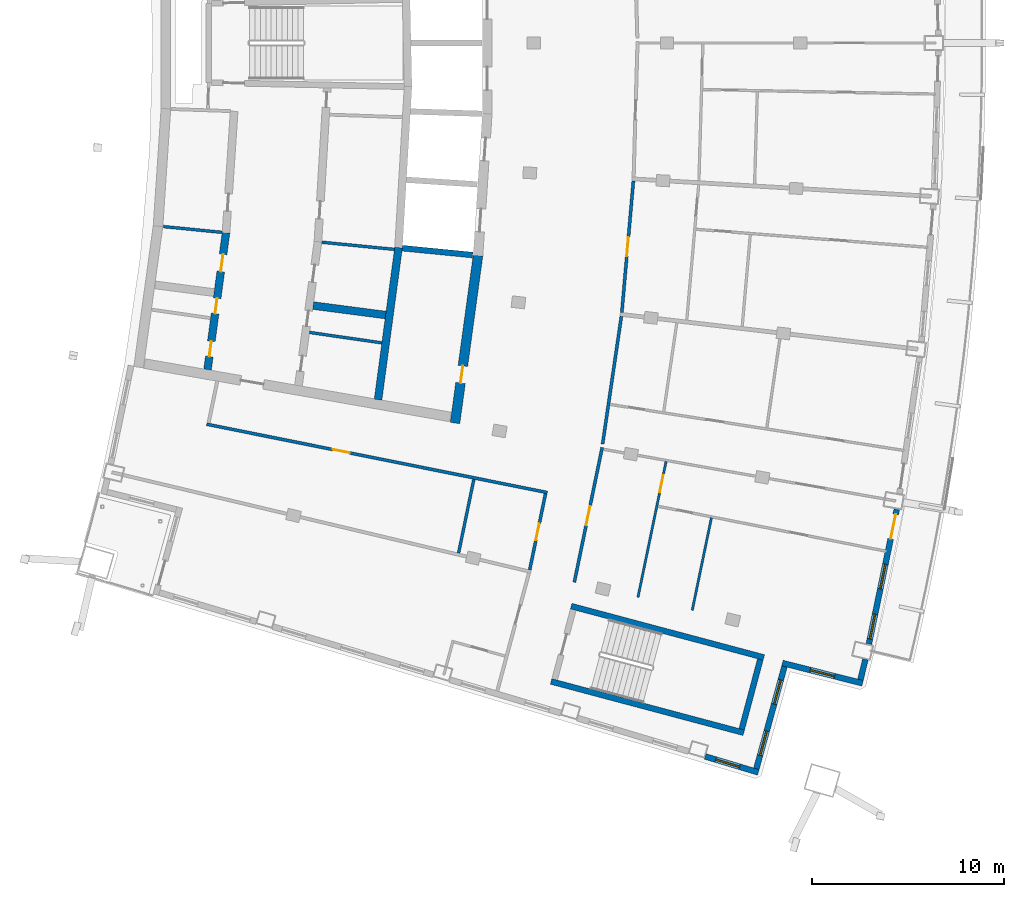
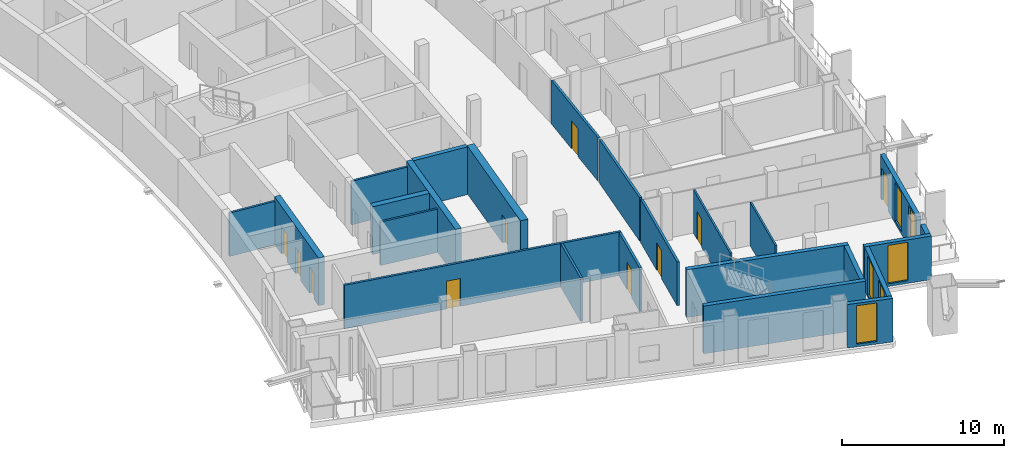
# One storey, part 8 of 20: 24 walls, 10 doors, 6 windows, 16 openings.
"""IFC4 building model written with IfcOpenShell, lengths in metres."""

import ifcopenshell
import ifcopenshell.guid

model = None  # the IFC model being written
_history = None  # IfcOwnerHistory: only IFC2X3 demands one
_inside = {}  # id of a spatial element -> (the spatial element, [elements in it])
_under = {}  # id of a project, library or spatial element -> (it, [spatial elements below it])
_declared = {}  # id of a project -> (the project, [libraries it declares])
_typed = {}  # id of a type object -> (the type object, [elements of that type])
_made_of = {}  # id of a material, layer set ... -> (it, [elements and type objects made of it])


def new_model(schema):
    """Start an empty IFC model of exactly this schema.

    Asked for "IFC4X3", IfcOpenShell would pick the latest addendum, in which some entities
    have other attributes; the version numbers below select the first issue.
    IFC2X3 requires an IfcOwnerHistory on every rooted entity: one is made here for all.
    """
    global model, _history
    if schema == "IFC4X3":
        model = ifcopenshell.file(schema_version=(4, 3, 0, 0))
    else:
        model = ifcopenshell.file(schema=schema)
    _inside.clear()
    _under.clear()
    _declared.clear()
    _typed.clear()
    _made_of.clear()
    _history = None
    if model.schema == "IFC2X3":
        org = make("IfcOrganization", Name="unknown")
        user = make(
            "IfcPersonAndOrganization",
            ThePerson=make("IfcPerson", FamilyName="unknown"),
            TheOrganization=org,
        )
        app = make(
            "IfcApplication",
            ApplicationDeveloper=org,
            Version="unknown",
            ApplicationFullName="unknown",
            ApplicationIdentifier="unknown",
        )
        _history = make(
            "IfcOwnerHistory",
            OwningUser=user,
            OwningApplication=app,
            ChangeAction="ADDED",
            CreationDate=0,
        )
    return model


def make(cls, **values):
    """One entity of the class cls with the attributes given. An attribute that is None is left unset."""
    return model.create_entity(
        cls, **{name: value for name, value in values.items() if value is not None}
    )


def rooted(cls, **values):
    """An entity with a GlobalId (a new one), such as an element, a storey or a relation."""
    return make(cls, GlobalId=ifcopenshell.guid.new(), OwnerHistory=_history, **values)


def si_unit(unit_type, name, prefix=None):
    """IfcSIUnit, for example si_unit("LENGTHUNIT", "METRE", prefix="MILLI")."""
    return make("IfcSIUnit", UnitType=unit_type, Prefix=prefix, Name=name)


def assignment(units):
    """IfcUnitAssignment: the units of a project."""
    return None if units is None else make("IfcUnitAssignment", Units=units)


def point(xyz):
    """IfcCartesianPoint."""
    return None if xyz is None else make("IfcCartesianPoint", Coordinates=xyz)


def direction(xyz):
    """IfcDirection."""
    return None if xyz is None else make("IfcDirection", DirectionRatios=xyz)


def frame(location, z_axis=None, x_axis=None):
    """IfcAxis2Placement3D, a coordinate frame: its origin and axes. An axis left out is left unset."""
    return make(
        "IfcAxis2Placement3D",
        Location=point(location),
        Axis=direction(z_axis),
        RefDirection=direction(x_axis),
    )


def frame_2d(location, x_axis=None):
    """IfcAxis2Placement2D, a coordinate frame in the plane: its origin and x axis."""
    return make(
        "IfcAxis2Placement2D", Location=point(location), RefDirection=direction(x_axis)
    )


def origin():
    """The frame at (0, 0, 0) with its axes left unset."""
    return frame((0.0, 0.0, 0.0))


def place(relative_to, where):
    """IfcLocalPlacement: puts the frame where relative to a parent placement (None: the world)."""
    return make(
        "IfcLocalPlacement", PlacementRelTo=relative_to, RelativePlacement=where
    )


def context(
    kind, dimensions, precision=None, world=None, true_north=None, identifier=None
):
    """IfcGeometricRepresentationContext, for example the 3D "Model" context."""
    return make(
        "IfcGeometricRepresentationContext",
        ContextIdentifier=identifier,
        ContextType=kind,
        CoordinateSpaceDimension=dimensions,
        Precision=precision,
        WorldCoordinateSystem=world,
        TrueNorth=true_north,
    )


def subcontext(parent, identifier, kind, view, scale=None):
    """IfcGeometricRepresentationSubContext, for example "Body" below "Model"."""
    return make(
        "IfcGeometricRepresentationSubContext",
        ContextIdentifier=identifier,
        ContextType=kind,
        ParentContext=parent,
        TargetScale=scale,
        TargetView=view,
    )


def project(units=None, contexts=None):
    """IfcProject with its units and contexts."""
    return rooted(
        "IfcProject",
        Name="project",
        RepresentationContexts=contexts,
        UnitsInContext=assignment(units),
    )


def spatial(cls, under=None, at=None, **own):
    """A site, building, storey or space (cls), placed at a placement, below another one or the project."""
    s = rooted(cls, ObjectPlacement=at, **own)
    if under is not None:
        _under.setdefault(under.id(), (under, []))[1].append(s)
    return s


def profile(cls, at=None, kind="AREA", **sizes):
    """A parametric profile (cls). Its sizes go by their IFC names, for example OverallWidth=200.0."""
    return make(cls, ProfileType=kind, Position=at, **sizes)


def rectangle(**sizes):
    """IfcRectangleProfileDef."""
    return profile("IfcRectangleProfileDef", **sizes)


def extrude(swept, where, along, depth):
    """IfcExtrudedAreaSolid: the profile swept, set in the frame where, extruded along a direction by depth."""
    return make(
        "IfcExtrudedAreaSolid",
        SweptArea=swept,
        Position=where,
        ExtrudedDirection=direction(along),
        Depth=depth,
    )


def shape(context_of_items, identifier, shape_type, items):
    """IfcShapeRepresentation: the items that make up one representation, for example the "Body"."""
    return make(
        "IfcShapeRepresentation",
        ContextOfItems=context_of_items,
        RepresentationIdentifier=identifier,
        RepresentationType=shape_type,
        Items=items,
    )


def material(Name=None, Category=None):
    """IfcMaterial."""
    return make("IfcMaterial", Name=Name, Category=Category)


def layer(
    of_material, thickness, ventilated=None, Name=None, Category=None, Priority=None
):
    """IfcMaterialLayer: one layer of a wall or slab, of a material (None: an air gap)."""
    return make(
        "IfcMaterialLayer",
        Material=of_material,
        LayerThickness=thickness,
        IsVentilated=ventilated,
        Name=Name,
        Category=Category,
        Priority=Priority,
    )


def layer_set(layers, Name=None):
    """IfcMaterialLayerSet."""
    return make("IfcMaterialLayerSet", MaterialLayers=layers, LayerSetName=Name)


def made_of(thing, what):
    """Note that an element or type object is made of a material, layer set ...; save() writes the relation."""
    if what is not None:
        _made_of.setdefault(what.id(), (what, []))[1].append(thing)
    return thing


def type_object(cls, material=None, **own):
    """A type object (cls), such as IfcWallType, which elements share."""
    return made_of(rooted(cls, **own), material)


def element(
    cls,
    number,
    at=None,
    inside=None,
    cuts=None,
    type_object=None,
    material=None,
    context=None,
    identifier="Body",
    shape_type=None,
    held_by="IfcProductDefinitionShape",
    body=None,
    shapes=None,
    **own,
):
    """One element of the class cls, such as IfcWall. Its Tag is "e" and its number.

    at: its placement. inside: the storey or other place that contains it. cuts: it is an
    opening in that element (IfcRelVoidsElement). A single representation is given by context,
    identifier, shape_type and body (its items); several are given by shapes. held_by: the class
    of the entity that holds the representations. save() writes the other relations.
    """
    e = rooted(cls, Tag="e%d" % number, ObjectPlacement=at, **own)
    if body is not None:
        shapes = [shape(context, identifier, shape_type, body)]
    if shapes is not None:
        e.Representation = make(held_by, Representations=shapes)
    if inside is not None:
        _inside.setdefault(inside.id(), (inside, []))[1].append(e)
    if cuts is not None:
        rooted(
            "IfcRelVoidsElement", RelatingBuildingElement=cuts, RelatedOpeningElement=e
        )
    if type_object is not None:
        _typed.setdefault(type_object.id(), (type_object, []))[1].append(e)
    return made_of(e, material)


def fill(opening, filler):
    """IfcRelFillsElement: the door or window that sits in an opening."""
    return rooted(
        "IfcRelFillsElement",
        RelatingOpeningElement=opening,
        RelatedBuildingElement=filler,
    )


def aggregate(whole, parts):
    """IfcRelAggregates: a whole, such as a stair, and the parts it consists of."""
    return rooted("IfcRelAggregates", RelatingObject=whole, RelatedObjects=parts)


def save(model, path):
    """Write the relations noted so far, then the file.

    IfcRelAggregates (storeys below a building ...), IfcRelContainedInSpatialStructure (elements
    in a storey), IfcRelDefinesByType, IfcRelAssociatesMaterial and IfcRelDeclares: one each for
    every whole, place, type object, material and project.
    """
    for whole, parts in _under.values():
        aggregate(whole, parts)
    for where, things in _inside.values():
        rooted(
            "IfcRelContainedInSpatialStructure",
            RelatedElements=things,
            RelatingStructure=where,
        )
    for kind, things in _typed.values():
        rooted("IfcRelDefinesByType", RelatedObjects=things, RelatingType=kind)
    for what, things in _made_of.values():
        rooted("IfcRelAssociatesMaterial", RelatedObjects=things, RelatingMaterial=what)
    for by, libraries in _declared.values():
        rooted("IfcRelDeclares", RelatingContext=by, RelatedDefinitions=libraries)
    model.write(path)


model = new_model("IFC4")

# Units and contexts
model_context = context("Model", 3, precision=1e-05, world=origin(), true_north=direction((0.0, 1.0)))
body_context = subcontext(model_context, "Body", "Model", "MODEL_VIEW")
ifc_project = project(units=[si_unit("LENGTHUNIT", "METRE"), si_unit("AREAUNIT", "SQUARE_METRE"), si_unit("VOLUMEUNIT", "CUBIC_METRE"), si_unit("PLANEANGLEUNIT", "RADIAN"), si_unit("MASSUNIT", "GRAM", prefix="KILO")], contexts=[model_context])

# Site, building, storey
site_placement = place(None, origin())
site = spatial("IfcSite", under=ifc_project, at=site_placement, CompositionType="ELEMENT")
building_placement = place(site_placement, origin())
building = spatial("IfcBuilding", under=site, at=building_placement, Name="Alderwake Tower", CompositionType="ELEMENT")
storey_placement = place(building_placement, frame((0.0, 0.0, 263.60009765625)))
storey = spatial("IfcBuildingStorey", under=building, at=storey_placement, Name="L65", CompositionType="ELEMENT", Elevation=263.60009765625)

# Walls
ifc_material_1 = material(Name="Gypsum shaft wall system, rated")
ifc_layer_1 = layer(ifc_material_1, 0.14990234375)
ifc_layer_set_1 = layer_set([ifc_layer_1], Name="Core room partition 150")
wall_type_1 = type_object("IfcWallType", Name="Core room partition 150", PredefinedType="PARTITIONING", material=ifc_layer_set_1)
wall_1_placement = place(storey_placement, frame((24.156005859375, 45.956298828125, 0.0), z_axis=(0.0, 0.0, 1.0), x_axis=(0.989733513529, -0.142925057975, 0.0)))
element("IfcWall", 1, at=wall_1_placement, inside=storey, type_object=wall_type_1, Name="CW/L65/PR-150_+86", PredefinedType="PARTITIONING", context=body_context, shape_type="SweptSolid", body=[
    extrude(rectangle(XDim=3.795654296875, YDim=0.14990234375, at=frame_2d((1.89794921875, 0.0))), origin(), (0.0, 0.0, 1.0), 3.27978515625),
])
wall_2_placement = place(storey_placement, frame((16.559814453125, 51.458251953125, 0.0), z_axis=(0.0, 0.0, 1.0), x_axis=(0.99515693677, -0.098298887065, 0.0)))
element("IfcWall", 2, at=wall_2_placement, inside=storey, type_object=wall_type_1, Name="CW/L65/PR-103_+0", PredefinedType="PARTITIONING", context=body_context, shape_type="SweptSolid", body=[
    extrude(rectangle(XDim=3.06982421875, YDim=0.14990234375, at=frame_2d((1.534912109375, 0.0))), origin(), (0.0, 0.0, 1.0), 3.27978515625),
])
wall_3_placement = place(storey_placement, frame((24.789794921875, 50.64501953125, 0.0), z_axis=(0.0, 0.0, 1.0), x_axis=(0.995153039802, -0.098338331148, 0.0)))
element("IfcWall", 3, at=wall_3_placement, inside=storey, type_object=wall_type_1, Name="CW/L65/PR-103_+86", PredefinedType="PARTITIONING", context=body_context, shape_type="SweptSolid", body=[
    extrude(rectangle(XDim=3.7958984375, YDim=0.14990234375, at=frame_2d((1.89794921875, 0.0))), origin(), (0.0, 0.0, 1.0), 3.27978515625),
])

# Wall, opening, door
ifc_material_2 = material(Name="Concrete C70/85", Category="concrete")
ifc_layer_2 = layer(ifc_material_2, 0.5)
ifc_layer_set_2 = layer_set([ifc_layer_2], Name="Core wall outer 500 C70-85")
wall_type_2 = type_object("IfcWallType", Name="Core wall outer 500 C70-85", PredefinedType="SHEAR", material=ifc_layer_set_2)
wall_4_placement = place(storey_placement, frame((32.912109375, 49.960693359375, 0.0), z_axis=(0.0, 0.0, 1.0), x_axis=(-0.1358539401, -0.990728876615, 0.0)))
wall_4 = element("IfcWall", 4, at=wall_4_placement, inside=storey, type_object=wall_type_2, Name="Core wall CW.022", PredefinedType="SHEAR", context=body_context, shape_type="SweptSolid", body=[
    extrude(rectangle(XDim=8.794921875, YDim=0.5, at=frame_2d((4.3974609375, 0.0))), origin(), (0.0, 0.0, 1.0), 3.599853515625),
])
opening_1_placement = place(wall_4_placement, frame((5.79638671875, 0.0, 0.0)))
opening_1 = element("IfcOpeningElement", 5, at=opening_1_placement, cuts=wall_4, Name="Opening C060", PredefinedType="OPENING", context=body_context, shape_type="SweptSolid", body=[
    extrude(rectangle(XDim=0.89990234375, YDim=2.10009765625, at=frame_2d((0.449951171875, 1.050048828125))), frame((0.0, 0.260009765625, 0.0), z_axis=(0.0, -1.0, 0.0), x_axis=(1.0, 0.0, 0.0)), (0.0, 0.0, 1.0), 0.52001953125),
])
ifc_material_3 = material(Name="Painted steel leaf", Category="steel")
door_type_1 = type_object("IfcDoorType", Name="Core room door 900", OperationType="SINGLE_SWING_LEFT", PredefinedType="DOOR", material=ifc_material_3)
door_1_placement = place(opening_1_placement, origin())
door_1 = element("IfcDoor", 6, at=door_1_placement, inside=storey, type_object=door_type_1, Name="Room door", OperationType="SINGLE_SWING_RIGHT", OverallHeight=2.10009765625, OverallWidth=0.89990234375, PredefinedType="DOOR", context=body_context, shape_type="SweptSolid", body=[
    extrude(rectangle(XDim=0.89990234375, YDim=2.10009765625, at=frame_2d((0.449951171875, 1.050048828125))), frame((0.0, 0.02490234375, 0.0), z_axis=(0.0, -1.0, 0.0), x_axis=(1.0, 0.0, 0.0)), (0.0, 0.0, 1.0), 0.050048828125),
])
fill(opening_1, door_1)

# Wall
ifc_material_4 = material(Name="Concrete C70/85", Category="concrete")
ifc_layer_3 = layer(ifc_material_4, 0.300048828125)
ifc_layer_set_3 = layer_set([ifc_layer_3], Name="Core wall shaft 300 C70-85")
wall_type_3 = type_object("IfcWallType", Name="Core wall shaft 300 C70-85", PredefinedType="SHEAR", material=ifc_layer_set_3)
wall_5_placement = place(storey_placement, frame((28.9794921875, 50.336181640625, 0.0), z_axis=(0.0, 0.0, 1.0), x_axis=(0.995245736737, -0.097395705788, 0.0)))
element("IfcWall", 7, at=wall_5_placement, inside=storey, type_object=wall_type_3, Name="Core wall CW.064", PredefinedType="SHEAR", context=body_context, shape_type="SweptSolid", body=[
    extrude(rectangle(XDim=3.669677734375, YDim=0.300048828125, at=frame_2d((1.8349609375, 0.0))), origin(), (0.0, 0.0, 1.0), 3.599853515625),
])

# Wall, openings, doors
ifc_material_5 = material(Name="Concrete C70/85", Category="concrete")
ifc_layer_4 = layer(ifc_material_5, 0.39990234375)
ifc_layer_set_4 = layer_set([ifc_layer_4], Name="Core wall spine 400 C70-85")
wall_type_4 = type_object("IfcWallType", Name="Core wall spine 400 C70-85", PredefinedType="SHEAR", material=ifc_layer_set_4)
wall_6_placement = place(storey_placement, frame((19.814697265625, 51.143798828125, 0.0), z_axis=(0.0, 0.0, 1.0), x_axis=(-0.133823115837, -0.991005233925, 0.0)))
wall_6 = element("IfcWall", 8, at=wall_6_placement, inside=storey, type_object=wall_type_4, Name="Core wall CW.033", PredefinedType="SHEAR", context=body_context, shape_type="SweptSolid", body=[
    extrude(rectangle(XDim=7.1787109375, YDim=0.39990234375, at=frame_2d((3.58935546875, 0.0))), origin(), (0.0, 0.0, 1.0), 3.599853515625),
])
opening_2_placement = place(wall_6_placement, frame((5.69677734375, 0.0, 0.0)))
opening_2 = element("IfcOpeningElement", 9, at=opening_2_placement, cuts=wall_6, Name="Opening C008", PredefinedType="OPENING", context=body_context, shape_type="SweptSolid", body=[
    extrude(rectangle(XDim=0.800048828125, YDim=2.0, at=frame_2d((0.39990234375, 1.0))), frame((0.0, 0.2099609375, 0.0), z_axis=(0.0, -1.0, 0.0), x_axis=(1.0, 0.0, 0.0)), (0.0, 0.0, 1.0), 0.419921875),
])
opening_3_placement = place(wall_6_placement, frame((3.443115234375, 0.0, 0.0)))
opening_3 = element("IfcOpeningElement", 10, at=opening_3_placement, cuts=wall_6, Name="Opening C012", PredefinedType="OPENING", context=body_context, shape_type="SweptSolid", body=[
    extrude(rectangle(XDim=0.800048828125, YDim=2.0, at=frame_2d((0.39990234375, 1.0))), frame((0.0, 0.2099609375, 0.0), z_axis=(0.0, -1.0, 0.0), x_axis=(1.0, 0.0, 0.0)), (0.0, 0.0, 1.0), 0.419921875),
])
opening_4_placement = place(wall_6_placement, frame((1.13916015625, 0.0, 0.0)))
opening_4 = element("IfcOpeningElement", 11, at=opening_4_placement, cuts=wall_6, Name="Opening C039", PredefinedType="OPENING", context=body_context, shape_type="SweptSolid", body=[
    extrude(rectangle(XDim=0.89990234375, YDim=2.10009765625, at=frame_2d((0.449951171875, 1.050048828125))), frame((0.0, 0.2099609375, 0.0), z_axis=(0.0, -1.0, 0.0), x_axis=(1.0, 0.0, 0.0)), (0.0, 0.0, 1.0), 0.419921875),
])
door_2_placement = place(opening_4_placement, origin())
door_2 = element("IfcDoor", 12, at=door_2_placement, inside=storey, type_object=door_type_1, Name="Room door", OperationType="SINGLE_SWING_LEFT", OverallHeight=2.10009765625, OverallWidth=0.89990234375, PredefinedType="DOOR", context=body_context, shape_type="SweptSolid", body=[
    extrude(rectangle(XDim=0.89990234375, YDim=2.10009765625, at=frame_2d((0.449951171875, 1.050048828125))), frame((0.0, 0.02490234375, 0.0), z_axis=(0.0, -1.0, 0.0), x_axis=(1.0, 0.0, 0.0)), (0.0, 0.0, 1.0), 0.050048828125),
])
fill(opening_4, door_2)
ifc_material_6 = material(Name="Painted steel leaf, rated", Category="steel")
door_type_2 = type_object("IfcDoorType", Name="Riser access door 800", OperationType="SINGLE_SWING_LEFT", PredefinedType="DOOR", material=ifc_material_6)
door_3_placement = place(opening_2_placement, origin())
door_3 = element("IfcDoor", 13, at=door_3_placement, inside=storey, type_object=door_type_2, Name="Riser access door", OperationType="SINGLE_SWING_LEFT", OverallHeight=2.0, OverallWidth=0.800048828125, PredefinedType="DOOR", context=body_context, shape_type="SweptSolid", body=[
    extrude(rectangle(XDim=0.800048828125, YDim=2.0, at=frame_2d((0.39990234375, 1.0))), frame((0.0, 0.02490234375, 0.0), z_axis=(0.0, -1.0, 0.0), x_axis=(1.0, 0.0, 0.0)), (0.0, 0.0, 1.0), 0.050048828125),
])
fill(opening_2, door_3)
door_4_placement = place(opening_3_placement, origin())
door_4 = element("IfcDoor", 14, at=door_4_placement, inside=storey, type_object=door_type_2, Name="Riser access door", OperationType="SINGLE_SWING_RIGHT", OverallHeight=2.0, OverallWidth=0.800048828125, PredefinedType="DOOR", context=body_context, shape_type="SweptSolid", body=[
    extrude(rectangle(XDim=0.800048828125, YDim=2.0, at=frame_2d((0.39990234375, 1.0))), frame((0.0, 0.02490234375, 0.0), z_axis=(0.0, -1.0, 0.0), x_axis=(1.0, 0.0, 0.0)), (0.0, 0.0, 1.0), 0.050048828125),
])
fill(opening_3, door_4)

# Walls
wall_7_placement = place(storey_placement, frame((27.716552734375, 42.46240234375, 0.0), z_axis=(0.0, 0.0, 1.0), x_axis=(0.133575701536, 0.991038612749, 0.0)))
element("IfcWall", 15, at=wall_7_placement, inside=storey, type_object=wall_type_4, Name="Core wall CW.006", PredefinedType="SHEAR", context=body_context, shape_type="SweptSolid", body=[
    extrude(rectangle(XDim=7.97265625, YDim=0.39990234375, at=frame_2d((3.986328125, 0.0))), origin(), (0.0, 0.0, 1.0), 3.599853515625),
])
wall_8_placement = place(storey_placement, frame((24.344482421875, 47.3525390625, 0.0), z_axis=(0.0, 0.0, 1.0), x_axis=(0.991554071493, -0.129693960172, 0.0)))
element("IfcWall", 16, at=wall_8_placement, inside=storey, type_object=wall_type_4, Name="Core wall CW.069", PredefinedType="SHEAR", context=body_context, shape_type="SweptSolid", body=[
    extrude(rectangle(XDim=3.794921875, YDim=0.39990234375, at=frame_2d((1.8974609375, 0.0))), origin(), (0.0, 0.0, 1.0), 3.599853515625),
])
ifc_material_7 = material(Name="Concrete C70/85", Category="concrete")
ifc_layer_5 = layer(ifc_material_7, 0.300048828125)
ifc_layer_set_5 = layer_set([ifc_layer_5], Name="Core wall stair enclosure 300 C70-85")
wall_type_5 = type_object("IfcWallType", Name="Core wall stair enclosure 300 C70-85", PredefinedType="SHEAR", material=ifc_layer_set_5)
for number, where, z_axis, x_axis, name in (
    (17, (37.75390625, 31.731201171875, 0.0), (0.0, 0.0, 1.0), (0.966309214305, -0.257383958996, 0.0), "Core wall CW.086"),
    (18, (36.71142578125, 27.817626953125, 0.0), (0.0, 0.0, 1.0), (0.966309214305, -0.257383958996, 0.0), "Core wall CW.088"),
):
    element("IfcWall", number, at=place(storey_placement, frame(where, z_axis=z_axis, x_axis=x_axis)), inside=storey, type_object=wall_type_5, Name=name, PredefinedType="SHEAR", context=body_context, shape_type="SweptSolid", body=[
        extrude(rectangle(XDim=10.360107421875, YDim=0.300048828125, at=frame_2d((5.18017578125, 0.0))), origin(), (0.0, 0.0, 1.0), 3.599853515625),
    ])
wall_9_placement = place(storey_placement, frame((46.6162109375, 25.334716796875, 0.0), z_axis=(0.0, 0.0, 1.0), x_axis=(0.257366821694, 0.966313778796, 0.0)))
element("IfcWall", 19, at=wall_9_placement, inside=storey, type_object=wall_type_5, Name="Core wall CW.085", PredefinedType="SHEAR", context=body_context, shape_type="SweptSolid", body=[
    extrude(rectangle(XDim=3.749755859375, YDim=0.300048828125, at=frame_2d((1.875, 0.0))), origin(), (0.0, 0.0, 1.0), 3.599853515625),
])

# Wall, opening, door
ifc_material_8 = material(Name="Gypsum board on metal studs, rated")
ifc_layer_6 = layer(ifc_material_8, 0.159912109375)
ifc_layer_set_6 = layer_set([ifc_layer_6], Name="Corridor wall 160")
wall_type_6 = type_object("IfcWallType", Name="Corridor wall 160", PredefinedType="PARTITIONING", material=ifc_layer_set_6)
wall_10_placement = place(storey_placement, frame((36.513427734375, 37.63427734375, 0.0), z_axis=(0.0, 0.0, 1.0), x_axis=(-0.980470254867, 0.1966674333, 0.0)))
wall_10 = element("IfcWall", 20, at=wall_10_placement, inside=storey, type_object=wall_type_6, Name="WL/L65/W10", PredefinedType="PARTITIONING", context=body_context, shape_type="SweptSolid", body=[
    extrude(rectangle(XDim=18.053466796875, YDim=0.159912109375, at=frame_2d((9.02685546875, 0.0))), origin(), (0.0, 0.0, 1.0), 3.27978515625),
])
opening_5_placement = place(wall_10_placement, frame((10.476806640625, 0.0, 0.0)))
opening_5 = element("IfcOpeningElement", 21, at=opening_5_placement, cuts=wall_10, Name="Opening R18-SBS1", PredefinedType="OPENING", context=body_context, shape_type="SweptSolid", body=[
    extrude(rectangle(XDim=0.89990234375, YDim=2.10009765625, at=frame_2d((0.449951171875, 1.050048828125))), frame((0.0, 0.08984375, 0.0), z_axis=(0.0, -1.0, 0.0), x_axis=(1.0, 0.0, 0.0)), (0.0, 0.0, 1.0), 0.179931640625),
])
ifc_material_9 = material(Name="Painted timber leaf", Category="wood")
door_type_3 = type_object("IfcDoorType", Name="Room door 900", OperationType="SINGLE_SWING_LEFT", PredefinedType="DOOR", material=ifc_material_9)
door_5_placement = place(opening_5_placement, origin())
door_5 = element("IfcDoor", 22, at=door_5_placement, inside=storey, type_object=door_type_3, Name="DR/L65/SBS1", OperationType="SINGLE_SWING_LEFT", OverallHeight=2.10009765625, OverallWidth=0.89990234375, PredefinedType="DOOR", context=body_context, shape_type="SweptSolid", body=[
    extrude(rectangle(XDim=0.89990234375, YDim=2.10009765625, at=frame_2d((0.449951171875, 1.050048828125))), frame((0.0, 0.02490234375, 0.0), z_axis=(0.0, -1.0, 0.0), x_axis=(1.0, 0.0, 0.0)), (0.0, 0.0, 1.0), 0.050048828125),
])
fill(opening_5, door_5)

wall_11_placement = place(storey_placement, frame((35.59619140625, 33.609375, 0.0), z_axis=(0.0, 0.0, 1.0), x_axis=(0.203245920818, 0.979127721838, 0.0)))
wall_11 = element("IfcWall", 23, at=wall_11_placement, inside=storey, type_object=wall_type_6, Name="WL/L65/W17", PredefinedType="PARTITIONING", context=body_context, shape_type="SweptSolid", body=[
    extrude(rectangle(XDim=4.046875, YDim=0.159912109375, at=frame_2d((2.0234375, 0.0))), origin(), (0.0, 0.0, 1.0), 3.27978515625),
])
opening_6_placement = place(wall_11_placement, frame((1.573486328125, 0.0, 0.0)))
opening_6 = element("IfcOpeningElement", 24, at=opening_6_placement, cuts=wall_11, Name="Opening R18-SBS2", PredefinedType="OPENING", context=body_context, shape_type="SweptSolid", body=[
    extrude(rectangle(XDim=0.89990234375, YDim=2.10009765625, at=frame_2d((0.449951171875, 1.050048828125))), frame((0.0, 0.08984375, 0.0), z_axis=(0.0, -1.0, 0.0), x_axis=(1.0, 0.0, 0.0)), (0.0, 0.0, 1.0), 0.179931640625),
])
door_6_placement = place(opening_6_placement, origin())
door_6 = element("IfcDoor", 25, at=door_6_placement, inside=storey, type_object=door_type_3, Name="DR/L65/SBS2", OperationType="SINGLE_SWING_LEFT", OverallHeight=2.10009765625, OverallWidth=0.89990234375, PredefinedType="DOOR", context=body_context, shape_type="SweptSolid", body=[
    extrude(rectangle(XDim=0.89990234375, YDim=2.10009765625, at=frame_2d((0.449951171875, 1.050048828125))), frame((0.0, 0.02490234375, 0.0), z_axis=(0.0, -1.0, 0.0), x_axis=(1.0, 0.0, 0.0)), (0.0, 0.0, 1.0), 0.050048828125),
])
fill(opening_6, door_6)

wall_12_placement = place(storey_placement, frame((39.3642578125, 39.975341796875, 0.0), z_axis=(0.0, 0.0, 1.0), x_axis=(-0.202490391407, -0.979284249535, 0.0)))
wall_12 = element("IfcWall", 26, at=wall_12_placement, inside=storey, type_object=wall_type_6, Name="WL/L65/W19", PredefinedType="PARTITIONING", context=body_context, shape_type="SweptSolid", body=[
    extrude(rectangle(XDim=7.147216796875, YDim=0.159912109375, at=frame_2d((3.57373046875, 0.0))), origin(), (0.0, 0.0, 1.0), 3.27978515625),
])
opening_7_placement = place(wall_12_placement, frame((3.113037109375, 0.0, 0.0)))
opening_7 = element("IfcOpeningElement", 27, at=opening_7_placement, cuts=wall_12, Name="Opening R18-U03.1", PredefinedType="OPENING", context=body_context, shape_type="SweptSolid", body=[
    extrude(rectangle(XDim=1.0, YDim=2.10009765625, at=frame_2d((0.5, 1.050048828125))), frame((0.0, 0.08984375, 0.0), z_axis=(0.0, -1.0, 0.0), x_axis=(1.0, 0.0, 0.0)), (0.0, 0.0, 1.0), 0.179931640625),
])
ifc_material_10 = material(Name="Solid timber leaf in steel frame", Category="steel")
door_type_4 = type_object("IfcDoorType", Name="Flat entrance door 1000 fire-rated", OperationType="SINGLE_SWING_LEFT", PredefinedType="DOOR", material=ifc_material_10)
door_7_placement = place(opening_7_placement, origin())
door_7 = element("IfcDoor", 28, at=door_7_placement, inside=storey, type_object=door_type_4, Name="DR/L65/U03.1", OperationType="SINGLE_SWING_LEFT", OverallHeight=2.10009765625, OverallWidth=1.0, PredefinedType="DOOR", context=body_context, shape_type="SweptSolid", body=[
    extrude(rectangle(XDim=1.0, YDim=2.10009765625, at=frame_2d((0.5, 1.050048828125))), frame((0.0, 0.02490234375, 0.0), z_axis=(0.0, -1.0, 0.0), x_axis=(1.0, 0.0, 0.0)), (0.0, 0.0, 1.0), 0.050048828125),
])
fill(opening_7, door_7)

# Wall
wall_13_placement = place(storey_placement, frame((39.38671875, 40.160888671875, 0.0), z_axis=(0.0, 0.0, 1.0), x_axis=(0.145513909196, 0.989356205939, 0.0)))
element("IfcWall", 29, at=wall_13_placement, inside=storey, type_object=wall_type_6, Name="WL/L65/W20", PredefinedType="PARTITIONING", context=body_context, shape_type="SweptSolid", body=[
    extrude(rectangle(XDim=6.704345703125, YDim=0.159912109375, at=frame_2d((3.35205078125, 0.0))), origin(), (0.0, 0.0, 1.0), 3.27978515625),
])

# Wall, opening, door
wall_14_placement = place(storey_placement, frame((40.986328125, 53.834228515625, 0.0), z_axis=(0.0, 0.0, 1.0), x_axis=(-0.087448731147, -0.996169021512, 0.0)))
wall_14 = element("IfcWall", 30, at=wall_14_placement, inside=storey, type_object=wall_type_6, Name="WL/L65/W22", PredefinedType="PARTITIONING", context=body_context, shape_type="SweptSolid", body=[
    extrude(rectangle(XDim=6.867919921875, YDim=0.159912109375, at=frame_2d((3.43408203125, 0.0))), origin(), (0.0, 0.0, 1.0), 3.27978515625),
])
opening_8_placement = place(wall_14_placement, frame((2.93408203125, 0.0, 0.0)))
opening_8 = element("IfcOpeningElement", 31, at=opening_8_placement, cuts=wall_14, Name="Opening R18-U04.1", PredefinedType="OPENING", context=body_context, shape_type="SweptSolid", body=[
    extrude(rectangle(XDim=1.0, YDim=2.10009765625, at=frame_2d((0.5, 1.050048828125))), frame((0.0, 0.08984375, 0.0), z_axis=(0.0, -1.0, 0.0), x_axis=(1.0, 0.0, 0.0)), (0.0, 0.0, 1.0), 0.179931640625),
])
door_8_placement = place(opening_8_placement, origin())
door_8 = element("IfcDoor", 32, at=door_8_placement, inside=storey, type_object=door_type_4, Name="DR/L65/U04.1", OperationType="SINGLE_SWING_LEFT", OverallHeight=2.10009765625, OverallWidth=1.0, PredefinedType="DOOR", context=body_context, shape_type="SweptSolid", body=[
    extrude(rectangle(XDim=1.0, YDim=2.10009765625, at=frame_2d((0.5, 1.050048828125))), frame((0.0, 0.02490234375, 0.0), z_axis=(0.0, -1.0, 0.0), x_axis=(1.0, 0.0, 0.0)), (0.0, 0.0, 1.0), 0.050048828125),
])
fill(opening_8, door_8)

# Wall
ifc_material_11 = material(Name="Precast concrete C50/60 spandrel panel", Category="concrete")
ifc_layer_7 = layer(ifc_material_11, 0.300048828125)
ifc_layer_set_7 = layer_set([ifc_layer_7], Name="External wall EW1 Precast concrete C50/60 spandrel")
wall_type_7 = type_object("IfcWallType", Name="External wall EW1 Precast concrete C50/60 spandrel", PredefinedType="SOLIDWALL", material=ifc_layer_set_7)
wall_15_placement = place(storey_placement, frame((52.78515625, 27.90478515625, 0.0), z_axis=(0.0, 0.0, 1.0), x_axis=(0.238265366809, 0.971200090084, 0.0)))
element("IfcWall", 33, at=wall_15_placement, inside=storey, type_object=wall_type_7, Name="External wall 11", PredefinedType="SOLIDWALL", context=body_context, shape_type="SweptSolid", body=[
    extrude(rectangle(XDim=1.09033203125, YDim=0.300048828125, at=frame_2d((0.545166015625, 0.0))), origin(), (0.0, 0.0, 1.0), 3.27978515625),
])

# Wall, openings, door, windows
wall_16_placement = place(storey_placement, frame((53.226806640625, 29.770263671875, 0.0), z_axis=(0.0, 0.0, 1.0), x_axis=(0.202780898279, 0.979224135371, 0.0)))
wall_16 = element("IfcWall", 34, at=wall_16_placement, inside=storey, type_object=wall_type_7, Name="External wall 12", PredefinedType="SOLIDWALL", context=body_context, shape_type="SweptSolid", body=[
    extrude(rectangle(XDim=7.13818359375, YDim=0.300048828125, at=frame_2d((3.569091796875, 0.0))), origin(), (0.0, 0.0, 1.0), 3.27978515625),
])
opening_9_placement = place(wall_16_placement, frame((0.263427734375, 0.0, 0.199951171875)))
opening_9 = element("IfcOpeningElement", 35, at=opening_9_placement, cuts=wall_16, Name="Opening W1", PredefinedType="OPENING", context=body_context, shape_type="SweptSolid", body=[
    extrude(rectangle(XDim=1.300048828125, YDim=2.89990234375, at=frame_2d((0.64990234375, 1.449951171875))), frame((0.0, 0.159912109375, 0.0), z_axis=(0.0, -1.0, 0.0), x_axis=(1.0, 0.0, 0.0)), (0.0, 0.0, 1.0), 0.320068359375),
])
opening_10_placement = place(wall_16_placement, frame((2.919189453125, 0.0, 0.199951171875)))
opening_10 = element("IfcOpeningElement", 36, at=opening_10_placement, cuts=wall_16, Name="Opening W1", PredefinedType="OPENING", context=body_context, shape_type="SweptSolid", body=[
    extrude(rectangle(XDim=1.300048828125, YDim=2.89990234375, at=frame_2d((0.64990234375, 1.449951171875))), frame((0.0, 0.159912109375, 0.0), z_axis=(0.0, -1.0, 0.0), x_axis=(1.0, 0.0, 0.0)), (0.0, 0.0, 1.0), 0.320068359375),
])
opening_11_placement = place(wall_16_placement, frame((5.574951171875, 0.0, 0.0)))
opening_11 = element("IfcOpeningElement", 37, at=opening_11_placement, cuts=wall_16, Name="Opening D02", PredefinedType="OPENING", context=body_context, shape_type="SweptSolid", body=[
    extrude(rectangle(XDim=1.300048828125, YDim=2.39990234375, at=frame_2d((0.64990234375, 1.199951171875))), frame((0.0, 0.159912109375, 0.0), z_axis=(0.0, -1.0, 0.0), x_axis=(1.0, 0.0, 0.0)), (0.0, 0.0, 1.0), 0.320068359375),
])
ifc_material_12 = material(Name="Bronze tinted glass in aluminium frame", Category="aluminium")
door_type_5 = type_object("IfcDoorType", Name="Balcony door BD sliding", OperationType="SLIDING_TO_LEFT", PredefinedType="DOOR", material=ifc_material_12)
door_9_placement = place(opening_11_placement, origin())
door_9 = element("IfcDoor", 38, at=door_9_placement, inside=storey, type_object=door_type_5, Name="Door D02", OperationType="SLIDING_TO_LEFT", OverallHeight=2.39990234375, OverallWidth=1.300048828125, PredefinedType="DOOR", context=body_context, shape_type="SweptSolid", body=[
    extrude(rectangle(XDim=1.300048828125, YDim=2.39990234375, at=frame_2d((0.64990234375, 1.199951171875))), frame((0.0, 0.02490234375, 0.0), z_axis=(0.0, -1.0, 0.0), x_axis=(1.0, 0.0, 0.0)), (0.0, 0.0, 1.0), 0.050048828125),
])
fill(opening_11, door_9)
ifc_material_13 = material(Name="Bronze tinted glass in aluminium frame", Category="aluminium")
window_type = type_object("IfcWindowType", Name="Window W1 tall fixed and vent", PartitioningType="DOUBLE_PANEL_VERTICAL", PredefinedType="WINDOW", material=ifc_material_13)
window_1_placement = place(opening_9_placement, origin())
window_1 = element("IfcWindow", 39, at=window_1_placement, inside=storey, type_object=window_type, Name="Window W1 tall fixed and vent", OverallHeight=2.89990234375, OverallWidth=1.300048828125, PartitioningType="DOUBLE_PANEL_VERTICAL", PredefinedType="WINDOW", context=body_context, shape_type="SweptSolid", body=[
    extrude(rectangle(XDim=1.300048828125, YDim=2.89990234375, at=frame_2d((0.64990234375, 1.449951171875))), frame((0.0, 0.030029296875, 0.0), z_axis=(0.0, -1.0, 0.0), x_axis=(1.0, 0.0, 0.0)), (0.0, 0.0, 1.0), 0.06005859375),
])
fill(opening_9, window_1)
window_2_placement = place(opening_10_placement, origin())
window_2 = element("IfcWindow", 40, at=window_2_placement, inside=storey, type_object=window_type, Name="Window W1 tall fixed and vent", OverallHeight=2.89990234375, OverallWidth=1.300048828125, PartitioningType="DOUBLE_PANEL_VERTICAL", PredefinedType="WINDOW", context=body_context, shape_type="SweptSolid", body=[
    extrude(rectangle(XDim=1.300048828125, YDim=2.89990234375, at=frame_2d((0.64990234375, 1.449951171875))), frame((0.0, 0.030029296875, 0.0), z_axis=(0.0, -1.0, 0.0), x_axis=(1.0, 0.0, 0.0)), (0.0, 0.0, 1.0), 0.06005859375),
])
fill(opening_10, window_2)

# Wall, opening, window
ifc_material_14 = material(Name="Bronze metal cladding on lightweight framing")
ifc_layer_8 = layer(ifc_material_14, 0.300048828125)
ifc_layer_set_8 = layer_set([ifc_layer_8], Name="External wall EW2 bronze metal cladding")
wall_type_8 = type_object("IfcWallType", Name="External wall EW2 bronze metal cladding", PredefinedType="SOLIDWALL", material=ifc_layer_set_8)
wall_17_placement = place(storey_placement, frame((44.722412109375, 23.920166015625, 0.0), z_axis=(0.0, 0.0, 1.0), x_axis=(0.957774929891, -0.287519014453, 0.0)))
wall_17 = element("IfcWall", 41, at=wall_17_placement, inside=storey, type_object=wall_type_8, Name="External wall 8", PredefinedType="SOLIDWALL", context=body_context, shape_type="SweptSolid", body=[
    extrude(rectangle(XDim=2.87939453125, YDim=0.300048828125, at=frame_2d((1.439697265625, 0.0))), origin(), (0.0, 0.0, 1.0), 3.27978515625),
])
opening_12_placement = place(wall_17_placement, frame((0.56396484375, 0.0, 0.199951171875)))
opening_12 = element("IfcOpeningElement", 42, at=opening_12_placement, cuts=wall_17, Name="Opening W1", PredefinedType="OPENING", context=body_context, shape_type="SweptSolid", body=[
    extrude(rectangle(XDim=1.300048828125, YDim=2.89990234375, at=frame_2d((0.64990234375, 1.449951171875))), frame((0.0, 0.159912109375, 0.0), z_axis=(0.0, -1.0, 0.0), x_axis=(1.0, 0.0, 0.0)), (0.0, 0.0, 1.0), 0.320068359375),
])
window_3_placement = place(opening_12_placement, origin())
window_3 = element("IfcWindow", 43, at=window_3_placement, inside=storey, type_object=window_type, Name="Window W1 tall fixed and vent", OverallHeight=2.89990234375, OverallWidth=1.300048828125, PartitioningType="DOUBLE_PANEL_VERTICAL", PredefinedType="WINDOW", context=body_context, shape_type="SweptSolid", body=[
    extrude(rectangle(XDim=1.300048828125, YDim=2.89990234375, at=frame_2d((0.64990234375, 1.449951171875))), frame((0.0, 0.030029296875, 0.0), z_axis=(0.0, -1.0, 0.0), x_axis=(1.0, 0.0, 0.0)), (0.0, 0.0, 1.0), 0.06005859375),
])
fill(opening_12, window_3)

# Wall, openings, windows
wall_18_placement = place(storey_placement, frame((47.37646484375, 23.27978515625, 0.0), z_axis=(0.0, 0.0, 1.0), x_axis=(0.265054561868, 0.964233415327, 0.0)))
wall_18 = element("IfcWall", 44, at=wall_18_placement, inside=storey, type_object=wall_type_8, Name="External wall 9", PredefinedType="SOLIDWALL", context=body_context, shape_type="SweptSolid", body=[
    extrude(rectangle(XDim=5.51171875, YDim=0.300048828125, at=frame_2d((2.755859375, 0.0))), origin(), (0.0, 0.0, 1.0), 3.27978515625),
])
opening_13_placement = place(wall_18_placement, frame((0.727783203125, 0.0, 0.199951171875)))
opening_13 = element("IfcOpeningElement", 45, at=opening_13_placement, cuts=wall_18, Name="Opening W1", PredefinedType="OPENING", context=body_context, shape_type="SweptSolid", body=[
    extrude(rectangle(XDim=1.300048828125, YDim=2.89990234375, at=frame_2d((0.64990234375, 1.449951171875))), frame((0.0, 0.159912109375, 0.0), z_axis=(0.0, -1.0, 0.0), x_axis=(1.0, 0.0, 0.0)), (0.0, 0.0, 1.0), 0.320068359375),
])
opening_14_placement = place(wall_18_placement, frame((3.48388671875, 0.0, 0.199951171875)))
opening_14 = element("IfcOpeningElement", 46, at=opening_14_placement, cuts=wall_18, Name="Opening W1", PredefinedType="OPENING", context=body_context, shape_type="SweptSolid", body=[
    extrude(rectangle(XDim=1.300048828125, YDim=2.89990234375, at=frame_2d((0.64990234375, 1.449951171875))), frame((0.0, 0.159912109375, 0.0), z_axis=(0.0, -1.0, 0.0), x_axis=(1.0, 0.0, 0.0)), (0.0, 0.0, 1.0), 0.320068359375),
])
window_4_placement = place(opening_13_placement, origin())
window_4 = element("IfcWindow", 47, at=window_4_placement, inside=storey, type_object=window_type, Name="Window W1 tall fixed and vent", OverallHeight=2.89990234375, OverallWidth=1.300048828125, PartitioningType="DOUBLE_PANEL_VERTICAL", PredefinedType="WINDOW", context=body_context, shape_type="SweptSolid", body=[
    extrude(rectangle(XDim=1.300048828125, YDim=2.89990234375, at=frame_2d((0.64990234375, 1.449951171875))), frame((0.0, 0.030029296875, 0.0), z_axis=(0.0, -1.0, 0.0), x_axis=(1.0, 0.0, 0.0)), (0.0, 0.0, 1.0), 0.06005859375),
])
fill(opening_13, window_4)
window_5_placement = place(opening_14_placement, origin())
window_5 = element("IfcWindow", 48, at=window_5_placement, inside=storey, type_object=window_type, Name="Window W1 tall fixed and vent", OverallHeight=2.89990234375, OverallWidth=1.300048828125, PartitioningType="DOUBLE_PANEL_VERTICAL", PredefinedType="WINDOW", context=body_context, shape_type="SweptSolid", body=[
    extrude(rectangle(XDim=1.300048828125, YDim=2.89990234375, at=frame_2d((0.64990234375, 1.449951171875))), frame((0.0, 0.030029296875, 0.0), z_axis=(0.0, -1.0, 0.0), x_axis=(1.0, 0.0, 0.0)), (0.0, 0.0, 1.0), 0.06005859375),
])
fill(opening_14, window_5)

# Wall, opening, window
wall_19_placement = place(storey_placement, frame((48.731689453125, 28.77587890625, 0.0), z_axis=(0.0, 0.0, 1.0), x_axis=(0.969429385377, -0.245370468408, 0.0)))
wall_19 = element("IfcWall", 49, at=wall_19_placement, inside=storey, type_object=wall_type_8, Name="External wall 10", PredefinedType="SOLIDWALL", context=body_context, shape_type="SweptSolid", body=[
    extrude(rectangle(XDim=4.29443359375, YDim=0.300048828125, at=frame_2d((2.147216796875, 0.0))), origin(), (0.0, 0.0, 1.0), 3.27978515625),
])
opening_15_placement = place(wall_19_placement, frame((1.4970703125, 0.0, 0.199951171875)))
opening_15 = element("IfcOpeningElement", 50, at=opening_15_placement, cuts=wall_19, Name="Opening W1", PredefinedType="OPENING", context=body_context, shape_type="SweptSolid", body=[
    extrude(rectangle(XDim=1.300048828125, YDim=2.89990234375, at=frame_2d((0.64990234375, 1.449951171875))), frame((0.0, 0.159912109375, 0.0), z_axis=(0.0, -1.0, 0.0), x_axis=(1.0, 0.0, 0.0)), (0.0, 0.0, 1.0), 0.320068359375),
])
window_6_placement = place(opening_15_placement, origin())
window_6 = element("IfcWindow", 51, at=window_6_placement, inside=storey, type_object=window_type, Name="Window W1 tall fixed and vent", OverallHeight=2.89990234375, OverallWidth=1.300048828125, PartitioningType="DOUBLE_PANEL_VERTICAL", PredefinedType="WINDOW", context=body_context, shape_type="SweptSolid", body=[
    extrude(rectangle(XDim=1.300048828125, YDim=2.89990234375, at=frame_2d((0.64990234375, 1.449951171875))), frame((0.0, 0.030029296875, 0.0), z_axis=(0.0, -1.0, 0.0), x_axis=(1.0, 0.0, 0.0)), (0.0, 0.0, 1.0), 0.06005859375),
])
fill(opening_15, window_6)

# Wall
ifc_material_15 = material(Name="Gypsum shaft wall system, rated")
ifc_layer_9 = layer(ifc_material_15, 0.14990234375)
ifc_layer_set_9 = layer_set([ifc_layer_9], Name="Riser and shaft wall 150")
wall_type_9 = type_object("IfcWallType", Name="Riser and shaft wall 150", PredefinedType="PARTITIONING", material=ifc_layer_set_9)
wall_20_placement = place(storey_placement, frame((31.900146484375, 34.48828125, 0.0), z_axis=(0.0, 0.0, 1.0), x_axis=(0.20266545775, 0.979248034073, 0.0)))
element("IfcWall", 52, at=wall_20_placement, inside=storey, type_object=wall_type_9, Name="WL/L65/W05", PredefinedType="PARTITIONING", context=body_context, shape_type="SweptSolid", body=[
    extrude(rectangle(XDim=3.911376953125, YDim=0.14990234375, at=frame_2d((1.95556640625, 0.0))), origin(), (0.0, 0.0, 1.0), 3.27978515625),
])

# Wall, opening, door
ifc_material_16 = material(Name="Moisture resistant gypsum board on metal studs")
ifc_layer_10 = layer(ifc_material_16, 0.1201171875)
ifc_layer_set_10 = layer_set([ifc_layer_10], Name="Wet room partition 120")
wall_type_10 = type_object("IfcWallType", Name="Wet room partition 120", PredefinedType="PARTITIONING", material=ifc_layer_set_10)
wall_21_placement = place(storey_placement, frame((42.685791015625, 39.257080078125, 0.0), z_axis=(0.0, 0.0, 1.0), x_axis=(-0.202701804741, -0.979240510985, 0.0)))
wall_21 = element("IfcWall", 53, at=wall_21_placement, inside=storey, type_object=wall_type_10, Name="WL/L65/W33", PredefinedType="PARTITIONING", context=body_context, shape_type="SweptSolid", body=[
    extrude(rectangle(XDim=7.217041015625, YDim=0.1201171875, at=frame_2d((3.6083984375, 0.0))), origin(), (0.0, 0.0, 1.0), 3.27978515625),
])
opening_16_placement = place(wall_21_placement, frame((0.736083984375, 0.0, 0.0)))
opening_16 = element("IfcOpeningElement", 54, at=opening_16_placement, cuts=wall_21, Name="Opening R18-U03.2", PredefinedType="OPENING", context=body_context, shape_type="SweptSolid", body=[
    extrude(rectangle(XDim=0.89990234375, YDim=2.10009765625, at=frame_2d((0.449951171875, 1.050048828125))), frame((0.0, 0.070068359375, 0.0), z_axis=(0.0, -1.0, 0.0), x_axis=(1.0, 0.0, 0.0)), (0.0, 0.0, 1.0), 0.14013671875),
])
door_10_placement = place(opening_16_placement, origin())
door_10 = element("IfcDoor", 55, at=door_10_placement, inside=storey, type_object=door_type_3, Name="DR/L65/U03.2", OperationType="SINGLE_SWING_LEFT", OverallHeight=2.10009765625, OverallWidth=0.89990234375, PredefinedType="DOOR", context=body_context, shape_type="SweptSolid", body=[
    extrude(rectangle(XDim=0.89990234375, YDim=2.10009765625, at=frame_2d((0.449951171875, 1.050048828125))), frame((0.0, 0.02490234375, 0.0), z_axis=(0.0, -1.0, 0.0), x_axis=(1.0, 0.0, 0.0)), (0.0, 0.0, 1.0), 0.050048828125),
])
fill(opening_16, door_10)

# Wall
wall_22_placement = place(storey_placement, frame((44.0458984375, 31.51806640625, 0.0), z_axis=(0.0, 0.0, 1.0), x_axis=(0.202681240661, 0.979244767504, 0.0)))
element("IfcWall", 56, at=wall_22_placement, inside=storey, type_object=wall_type_10, Name="WL/L65/W39", PredefinedType="PARTITIONING", context=body_context, shape_type="SweptSolid", body=[
    extrude(rectangle(XDim=4.90966796875, YDim=0.1201171875, at=frame_2d((2.454833984375, 0.0))), origin(), (0.0, 0.0, 1.0), 3.27978515625),
])

save(model, "model.ifc")
